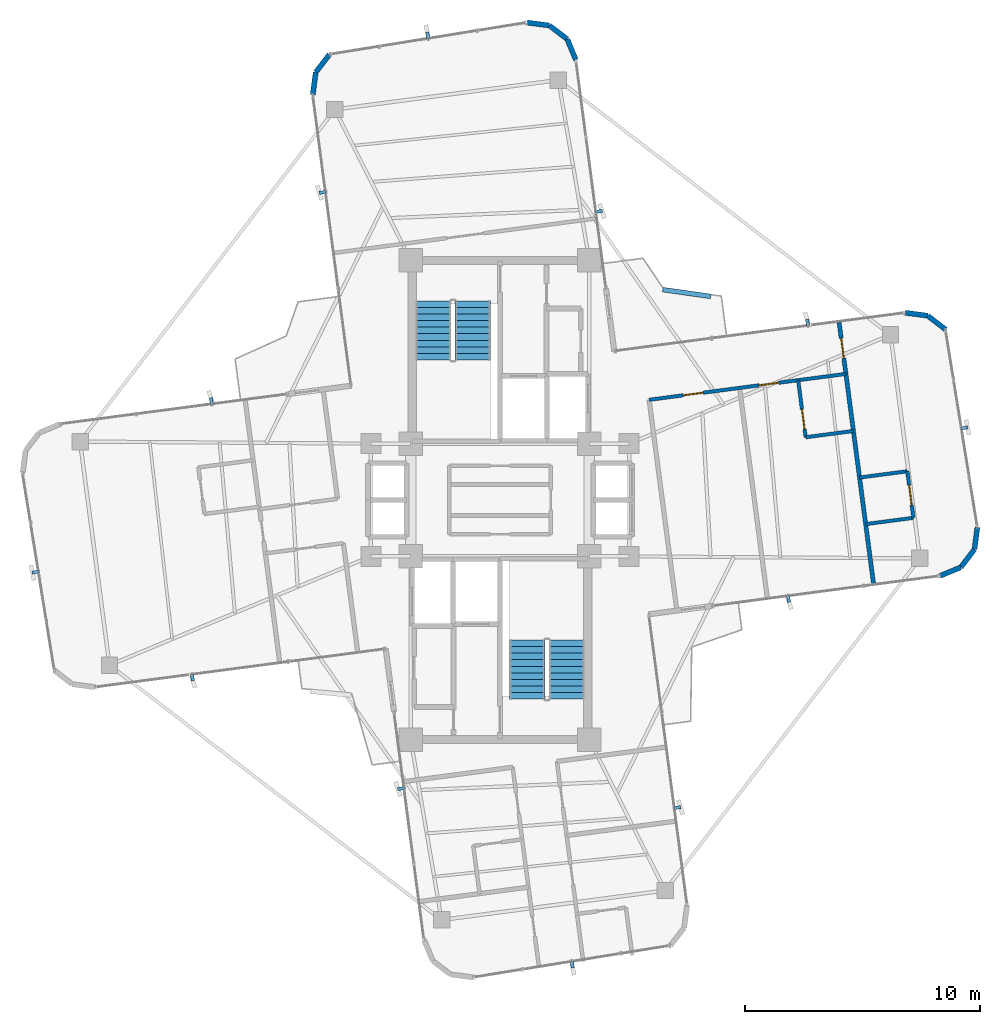
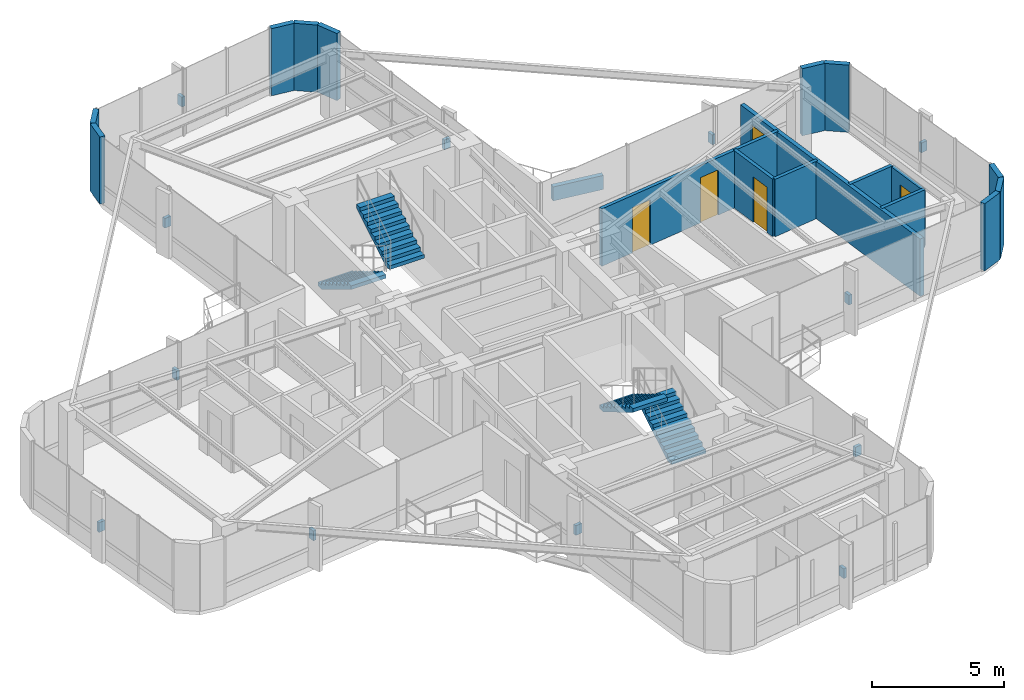
# One storey, part 20 of 21: 18 walls, 12 discrete accessories, 5 doors, 4 stair flights, 5 openings, 2 elements without a shape of their own.
"""IFC4 building model written with IfcOpenShell, lengths in metres."""

import ifcopenshell
import ifcopenshell.guid

model = None  # the IFC model being written
_history = None  # IfcOwnerHistory: only IFC2X3 demands one
_inside = {}  # id of a spatial element -> (the spatial element, [elements in it])
_under = {}  # id of a project, library or spatial element -> (it, [spatial elements below it])
_declared = {}  # id of a project -> (the project, [libraries it declares])
_typed = {}  # id of a type object -> (the type object, [elements of that type])
_made_of = {}  # id of a material, layer set ... -> (it, [elements and type objects made of it])


def new_model(schema):
    """Start an empty IFC model of exactly this schema.

    Asked for "IFC4X3", IfcOpenShell would pick the latest addendum, in which some entities
    have other attributes; the version numbers below select the first issue.
    IFC2X3 requires an IfcOwnerHistory on every rooted entity: one is made here for all.
    """
    global model, _history
    if schema == "IFC4X3":
        model = ifcopenshell.file(schema_version=(4, 3, 0, 0))
    else:
        model = ifcopenshell.file(schema=schema)
    _inside.clear()
    _under.clear()
    _declared.clear()
    _typed.clear()
    _made_of.clear()
    _history = None
    if model.schema == "IFC2X3":
        org = make("IfcOrganization", Name="unknown")
        user = make(
            "IfcPersonAndOrganization",
            ThePerson=make("IfcPerson", FamilyName="unknown"),
            TheOrganization=org,
        )
        app = make(
            "IfcApplication",
            ApplicationDeveloper=org,
            Version="unknown",
            ApplicationFullName="unknown",
            ApplicationIdentifier="unknown",
        )
        _history = make(
            "IfcOwnerHistory",
            OwningUser=user,
            OwningApplication=app,
            ChangeAction="ADDED",
            CreationDate=0,
        )
    return model


def make(cls, **values):
    """One entity of the class cls with the attributes given. An attribute that is None is left unset."""
    return model.create_entity(
        cls, **{name: value for name, value in values.items() if value is not None}
    )


def rooted(cls, **values):
    """An entity with a GlobalId (a new one), such as an element, a storey or a relation."""
    return make(cls, GlobalId=ifcopenshell.guid.new(), OwnerHistory=_history, **values)


def si_unit(unit_type, name, prefix=None):
    """IfcSIUnit, for example si_unit("LENGTHUNIT", "METRE", prefix="MILLI")."""
    return make("IfcSIUnit", UnitType=unit_type, Prefix=prefix, Name=name)


def assignment(units):
    """IfcUnitAssignment: the units of a project."""
    return None if units is None else make("IfcUnitAssignment", Units=units)


def point(xyz):
    """IfcCartesianPoint."""
    return None if xyz is None else make("IfcCartesianPoint", Coordinates=xyz)


def direction(xyz):
    """IfcDirection."""
    return None if xyz is None else make("IfcDirection", DirectionRatios=xyz)


def frame(location, z_axis=None, x_axis=None):
    """IfcAxis2Placement3D, a coordinate frame: its origin and axes. An axis left out is left unset."""
    return make(
        "IfcAxis2Placement3D",
        Location=point(location),
        Axis=direction(z_axis),
        RefDirection=direction(x_axis),
    )


def frame_2d(location, x_axis=None):
    """IfcAxis2Placement2D, a coordinate frame in the plane: its origin and x axis."""
    return make(
        "IfcAxis2Placement2D", Location=point(location), RefDirection=direction(x_axis)
    )


def origin():
    """The frame at (0, 0, 0) with its axes left unset."""
    return frame((0.0, 0.0, 0.0))


def origin_2d():
    """The frame at (0, 0) in the plane with its x axis left unset."""
    return frame_2d((0.0, 0.0))


def place(relative_to, where):
    """IfcLocalPlacement: puts the frame where relative to a parent placement (None: the world)."""
    return make(
        "IfcLocalPlacement", PlacementRelTo=relative_to, RelativePlacement=where
    )


def context(
    kind, dimensions, precision=None, world=None, true_north=None, identifier=None
):
    """IfcGeometricRepresentationContext, for example the 3D "Model" context."""
    return make(
        "IfcGeometricRepresentationContext",
        ContextIdentifier=identifier,
        ContextType=kind,
        CoordinateSpaceDimension=dimensions,
        Precision=precision,
        WorldCoordinateSystem=world,
        TrueNorth=true_north,
    )


def subcontext(parent, identifier, kind, view, scale=None):
    """IfcGeometricRepresentationSubContext, for example "Body" below "Model"."""
    return make(
        "IfcGeometricRepresentationSubContext",
        ContextIdentifier=identifier,
        ContextType=kind,
        ParentContext=parent,
        TargetScale=scale,
        TargetView=view,
    )


def project(units=None, contexts=None):
    """IfcProject with its units and contexts."""
    return rooted(
        "IfcProject",
        Name="project",
        RepresentationContexts=contexts,
        UnitsInContext=assignment(units),
    )


def spatial(cls, under=None, at=None, **own):
    """A site, building, storey or space (cls), placed at a placement, below another one or the project."""
    s = rooted(cls, ObjectPlacement=at, **own)
    if under is not None:
        _under.setdefault(under.id(), (under, []))[1].append(s)
    return s


def polyline(points):
    """IfcPolyline through the points."""
    return make("IfcPolyline", Points=[point(p) for p in points])


def profile(cls, at=None, kind="AREA", **sizes):
    """A parametric profile (cls). Its sizes go by their IFC names, for example OverallWidth=200.0."""
    return make(cls, ProfileType=kind, Position=at, **sizes)


def rectangle(**sizes):
    """IfcRectangleProfileDef."""
    return profile("IfcRectangleProfileDef", **sizes)


def outline(outer, holes=None, kind="AREA"):
    """IfcArbitraryClosedProfileDef: a profile drawn as a closed curve; with holes, ...WithVoids."""
    if holes is None:
        return make("IfcArbitraryClosedProfileDef", ProfileType=kind, OuterCurve=outer)
    return make(
        "IfcArbitraryProfileDefWithVoids",
        ProfileType=kind,
        OuterCurve=outer,
        InnerCurves=holes,
    )


def extrude(swept, where, along, depth):
    """IfcExtrudedAreaSolid: the profile swept, set in the frame where, extruded along a direction by depth."""
    return make(
        "IfcExtrudedAreaSolid",
        SweptArea=swept,
        Position=where,
        ExtrudedDirection=direction(along),
        Depth=depth,
    )


def shape(context_of_items, identifier, shape_type, items):
    """IfcShapeRepresentation: the items that make up one representation, for example the "Body"."""
    return make(
        "IfcShapeRepresentation",
        ContextOfItems=context_of_items,
        RepresentationIdentifier=identifier,
        RepresentationType=shape_type,
        Items=items,
    )


def source(mapping_origin, context_of_items, identifier, shape_type, items):
    """IfcRepresentationMap: a shape defined once, which mapped items show again and again."""
    return make(
        "IfcRepresentationMap",
        MappingOrigin=mapping_origin,
        MappedRepresentation=shape(context_of_items, identifier, shape_type, items),
    )


def transform(
    local_origin,
    x_axis=None,
    y_axis=None,
    z_axis=None,
    scale=None,
    scale2=None,
    scale3=None,
    uniform=True,
):
    """IfcCartesianTransformationOperator3D, or its non-uniform kind. x_axis, y_axis, z_axis: its Axis1, 2, 3."""
    if uniform:
        return make(
            "IfcCartesianTransformationOperator3D",
            Axis1=direction(x_axis),
            Axis2=direction(y_axis),
            LocalOrigin=point(local_origin),
            Scale=scale,
            Axis3=direction(z_axis),
        )
    return make(
        "IfcCartesianTransformationOperator3DnonUniform",
        Axis1=direction(x_axis),
        Axis2=direction(y_axis),
        LocalOrigin=point(local_origin),
        Scale=scale,
        Axis3=direction(z_axis),
        Scale2=scale2,
        Scale3=scale3,
    )


def mapped(mapping_source, mapping_target):
    """IfcMappedItem: shows the shape of a source again, moved by a transform."""
    return make(
        "IfcMappedItem", MappingSource=mapping_source, MappingTarget=mapping_target
    )


def material(Name=None, Category=None):
    """IfcMaterial."""
    return make("IfcMaterial", Name=Name, Category=Category)


def layer(
    of_material, thickness, ventilated=None, Name=None, Category=None, Priority=None
):
    """IfcMaterialLayer: one layer of a wall or slab, of a material (None: an air gap)."""
    return make(
        "IfcMaterialLayer",
        Material=of_material,
        LayerThickness=thickness,
        IsVentilated=ventilated,
        Name=Name,
        Category=Category,
        Priority=Priority,
    )


def layer_set(layers, Name=None):
    """IfcMaterialLayerSet."""
    return make("IfcMaterialLayerSet", MaterialLayers=layers, LayerSetName=Name)


def made_of(thing, what):
    """Note that an element or type object is made of a material, layer set ...; save() writes the relation."""
    if what is not None:
        _made_of.setdefault(what.id(), (what, []))[1].append(thing)
    return thing


def type_object(cls, material=None, **own):
    """A type object (cls), such as IfcWallType, which elements share."""
    return made_of(rooted(cls, **own), material)


def element(
    cls,
    number,
    at=None,
    inside=None,
    cuts=None,
    type_object=None,
    material=None,
    context=None,
    identifier="Body",
    shape_type=None,
    held_by="IfcProductDefinitionShape",
    body=None,
    shapes=None,
    **own,
):
    """One element of the class cls, such as IfcWall. Its Tag is "e" and its number.

    at: its placement. inside: the storey or other place that contains it. cuts: it is an
    opening in that element (IfcRelVoidsElement). A single representation is given by context,
    identifier, shape_type and body (its items); several are given by shapes. held_by: the class
    of the entity that holds the representations. save() writes the other relations.
    """
    e = rooted(cls, Tag="e%d" % number, ObjectPlacement=at, **own)
    if body is not None:
        shapes = [shape(context, identifier, shape_type, body)]
    if shapes is not None:
        e.Representation = make(held_by, Representations=shapes)
    if inside is not None:
        _inside.setdefault(inside.id(), (inside, []))[1].append(e)
    if cuts is not None:
        rooted(
            "IfcRelVoidsElement", RelatingBuildingElement=cuts, RelatedOpeningElement=e
        )
    if type_object is not None:
        _typed.setdefault(type_object.id(), (type_object, []))[1].append(e)
    return made_of(e, material)


def fill(opening, filler):
    """IfcRelFillsElement: the door or window that sits in an opening."""
    return rooted(
        "IfcRelFillsElement",
        RelatingOpeningElement=opening,
        RelatedBuildingElement=filler,
    )


def aggregate(whole, parts):
    """IfcRelAggregates: a whole, such as a stair, and the parts it consists of."""
    return rooted("IfcRelAggregates", RelatingObject=whole, RelatedObjects=parts)


def save(model, path):
    """Write the relations noted so far, then the file.

    IfcRelAggregates (storeys below a building ...), IfcRelContainedInSpatialStructure (elements
    in a storey), IfcRelDefinesByType, IfcRelAssociatesMaterial and IfcRelDeclares: one each for
    every whole, place, type object, material and project.
    """
    for whole, parts in _under.values():
        aggregate(whole, parts)
    for where, things in _inside.values():
        rooted(
            "IfcRelContainedInSpatialStructure",
            RelatedElements=things,
            RelatingStructure=where,
        )
    for kind, things in _typed.values():
        rooted("IfcRelDefinesByType", RelatedObjects=things, RelatingType=kind)
    for what, things in _made_of.values():
        rooted("IfcRelAssociatesMaterial", RelatedObjects=things, RelatingMaterial=what)
    for by, libraries in _declared.values():
        rooted("IfcRelDeclares", RelatingContext=by, RelatedDefinitions=libraries)
    model.write(path)


model = new_model("IFC4")

# Units and contexts
model_context = context("Model", 3, precision=1e-05, world=origin(), true_north=direction((0.0, 1.0)))
body_context = subcontext(model_context, "Body", "Model", "MODEL_VIEW")
ifc_project = project(units=[si_unit("LENGTHUNIT", "METRE"), si_unit("AREAUNIT", "SQUARE_METRE"), si_unit("VOLUMEUNIT", "CUBIC_METRE"), si_unit("PLANEANGLEUNIT", "RADIAN"), si_unit("MASSUNIT", "GRAM", prefix="KILO")], contexts=[model_context])

# Site, building, storey
site_placement = place(None, origin())
site = spatial("IfcSite", under=ifc_project, at=site_placement, CompositionType="ELEMENT")
building_placement = place(site_placement, origin())
building = spatial("IfcBuilding", under=site, at=building_placement, Name="Sahyath Konkavel Grand Hotel", CompositionType="ELEMENT")
storey_placement = place(building_placement, frame((0.0, 0.0, 216.550048828125)))
storey = spatial("IfcBuildingStorey", under=building, at=storey_placement, Name="L60", CompositionType="ELEMENT", Elevation=216.550048828125)

# Walls
ifc_material_1 = material(Name="Warm Buff Sandstone Insulated Concrete C40/50", Category="masonry")
ifc_layer_1 = layer(ifc_material_1, 0.219970703125)
ifc_layer_set_1 = layer_set([ifc_layer_1], Name="Warm Buff Sandstone Insulated Concrete C40/50")
wall_type_1 = type_object("IfcWallType", Name="WLL-BALC-THRESH", PredefinedType="STANDARD", material=ifc_layer_set_1)
for number, where, z_axis, x_axis, name in (
    (1, (18.732177734375, -3.232666015625, 0.0), (0.0, 0.0, 1.0), (0.923889442397, 0.382659506909, 0.0), "L60 Rounded Corner Sandstone Pier 1"),
    (2, (19.616943359375, -2.8662109375, 0.0), (0.0, 0.0, 1.0), (0.608774010809, 0.793343685778, 0.0), "L60 Rounded Corner Sandstone Pier 2"),
    (3, (20.199951171875, -2.1064453125, 0.0), (0.0, 0.0, 1.0), (0.130527053476, 0.991444747987, 0.0), "L60 Rounded Corner Sandstone Pier 3"),
):
    element("IfcWall", number, at=place(storey_placement, frame(where, z_axis=z_axis, x_axis=x_axis)), inside=storey, type_object=wall_type_1, Name=name, PredefinedType="STANDARD", context=body_context, shape_type="SweptSolid", body=[
        extrude(rectangle(XDim=0.957763671875, YDim=0.219970703125, at=frame_2d((0.47900390625, 0.0))), origin(), (0.0, 0.0, 1.0), 3.10986328125),
    ])
wall_1_placement = place(storey_placement, frame((18.96630859375, 7.2626953125, 0.0), z_axis=(0.0, 0.0, 1.0), x_axis=(-0.793249178392, 0.608897151398, 0.0)))
element("IfcWall", 4, at=wall_1_placement, inside=storey, type_object=wall_type_1, Name="L60 Rounded Corner Sandstone Pier 5", PredefinedType="STANDARD", context=body_context, shape_type="SweptSolid", body=[
    extrude(rectangle(XDim=0.95751953125, YDim=0.219970703125, at=frame_2d((0.478759765625, 0.0))), origin(), (0.0, 0.0, 1.0), 3.10986328125),
])
for number, where, z_axis, x_axis, name in (
    (5, (18.206787109375, 7.845703125, 0.0), (0.0, 0.0, 1.0), (-0.991444747987, 0.130527053476, 0.0), "L60 Rounded Corner Sandstone Pier 6"),
    (6, (3.232666015625, 18.732177734375, 0.0), (0.0, 0.0, 1.0), (-0.382659506909, 0.923889442397, 0.0), "L60 Rounded Corner Sandstone Pier 9"),
    (7, (2.8662109375, 19.616943359375, 0.0), (0.0, 0.0, 1.0), (-0.793343685778, 0.608774010809, 0.0), "L60 Rounded Corner Sandstone Pier 10"),
    (8, (2.1064453125, 20.199951171875, 0.0), (0.0, 0.0, 1.0), (-0.991444747987, 0.130527053476, 0.0), "L60 Rounded Corner Sandstone Pier 11"),
):
    element("IfcWall", number, at=place(storey_placement, frame(where, z_axis=z_axis, x_axis=x_axis)), inside=storey, type_object=wall_type_1, Name=name, PredefinedType="STANDARD", context=body_context, shape_type="SweptSolid", body=[
        extrude(rectangle(XDim=0.957763671875, YDim=0.219970703125, at=frame_2d((0.47900390625, 0.0))), origin(), (0.0, 0.0, 1.0), 3.10986328125),
    ])
wall_2_placement = place(storey_placement, frame((-7.2626953125, 18.96630859375, 0.0), z_axis=(0.0, 0.0, 1.0), x_axis=(-0.608897151398, -0.793249178392, 0.0)))
element("IfcWall", 9, at=wall_2_placement, inside=storey, type_object=wall_type_1, Name="L60 Rounded Corner Sandstone Pier 13", PredefinedType="STANDARD", context=body_context, shape_type="SweptSolid", body=[
    extrude(rectangle(XDim=0.95751953125, YDim=0.219970703125, at=frame_2d((0.478759765625, 0.0))), origin(), (0.0, 0.0, 1.0), 3.10986328125),
])
wall_3_placement = place(storey_placement, frame((-7.845703125, 18.206787109375, 0.0), z_axis=(0.0, 0.0, 1.0), x_axis=(-0.130527053476, -0.991444747987, 0.0)))
element("IfcWall", 10, at=wall_3_placement, inside=storey, type_object=wall_type_1, Name="L60 Rounded Corner Sandstone Pier 14", PredefinedType="STANDARD", context=body_context, shape_type="SweptSolid", body=[
    extrude(rectangle(XDim=0.957763671875, YDim=0.219970703125, at=frame_2d((0.47900390625, 0.0))), origin(), (0.0, 0.0, 1.0), 3.10986328125),
])

# Wall, opening, door
ifc_material_2 = material(Name="Twin-Stud Acoustic Gypsum Plasterboard Partition")
ifc_layer_2 = layer(ifc_material_2, 0.179931640625)
ifc_layer_set_2 = layer_set([ifc_layer_2], Name="Twin-Stud Acoustic Gypsum Plasterboard Partition")
wall_type_2 = type_object("IfcWallType", Name="WLL-DEMISE-180", PredefinedType="PARTITIONING", material=ifc_layer_set_2)
wall_4_placement = place(storey_placement, frame((15.900146484375, -3.554931640625, 0.0), z_axis=(0.0, 0.0, 1.0), x_axis=(-0.130530072791, 0.991444350479, 0.0)))
wall_4 = element("IfcWall", 11, at=wall_4_placement, inside=storey, type_object=wall_type_2, Name="L60 Partition E-ETIP-END", PredefinedType="PARTITIONING", context=body_context, shape_type="SweptSolid", body=[
    extrude(rectangle(XDim=11.19970703125, YDim=0.179931640625, at=frame_2d((5.599853515625, 0.0))), origin(), (0.0, 0.0, 1.0), 2.659912109375),
])
opening_1_placement = place(wall_4_placement, frame((9.675048828125, 0.0, 0.0)))
opening_1 = element("IfcOpeningElement", 12, at=opening_1_placement, cuts=wall_4, Name="Opening D-F06D", PredefinedType="OPENING", context=body_context, shape_type="SweptSolid", body=[
    extrude(rectangle(XDim=0.85009765625, YDim=2.10009765625, at=frame_2d((0.425048828125, 1.050048828125))), frame((0.0, 0.10009765625, 0.0), z_axis=(0.0, -1.0, 0.0), x_axis=(1.0, 0.0, 0.0)), (0.0, 0.0, 1.0), 0.199951171875),
])
ifc_material_3 = material(Name="Fire-Rated Shaft Access Door")
door_type_1 = type_object("IfcDoorType", Name="DR-FD60-850", OperationType="NOTDEFINED", PredefinedType="DOOR", material=ifc_material_3)
shared_shape_1 = source(origin(), body_context, "Body", "SweptSolid", [
    extrude(rectangle(XDim=0.85009765625, YDim=0.050048828125, at=origin_2d()), origin(), (0.0, 0.0, 1.0), 2.10009765625),
])
door_1_placement = place(opening_1_placement, frame((0.425048828125, 0.0, 0.0)))
door_1 = element("IfcDoor", 13, at=door_1_placement, inside=storey, type_object=door_type_1, Name="L60 Door E-ETIP-ED", OperationType="SINGLE_SWING_LEFT", OverallHeight=2.10009765625, OverallWidth=0.85009765625, PredefinedType="DOOR", context=body_context, shape_type="MappedRepresentation", body=[
    mapped(shared_shape_1, transform((0.0, 0.0, 0.0), scale=1.0)),
])
fill(opening_1, door_1)

# Wall, openings, doors
ifc_material_4 = material(Name="Fire-Rated Gypsum Plasterboard Partition")
ifc_layer_3 = layer(ifc_material_4, 0.14990234375)
ifc_layer_set_3 = layer_set([ifc_layer_3], Name="Fire-Rated Gypsum Plasterboard Partition")
wall_type_3 = type_object("IfcWallType", Name="WLL-PART-150", PredefinedType="PARTITIONING", material=ifc_layer_set_3)
wall_5_placement = place(storey_placement, frame((6.34765625, 4.264892578125, 0.0), z_axis=(0.0, 0.0, 1.0), x_axis=(0.991443573086, 0.130535977363, 0.0)))
wall_5 = element("IfcWall", 14, at=wall_5_placement, inside=storey, type_object=wall_type_3, Name="L60 Partition E-G5W", PredefinedType="PARTITIONING", context=body_context, shape_type="SweptSolid", body=[
    extrude(rectangle(XDim=8.449951171875, YDim=0.14990234375, at=frame_2d((4.22509765625, 0.0))), origin(), (0.0, 0.0, 1.0), 2.659912109375),
])
opening_2_placement = place(wall_5_placement, frame((1.468994140625, 0.0, 0.0)))
opening_2 = element("IfcOpeningElement", 15, at=opening_2_placement, cuts=wall_5, Name="Opening D-F06D", PredefinedType="OPENING", context=body_context, shape_type="SweptSolid", body=[
    extrude(rectangle(XDim=0.85009765625, YDim=2.10009765625, at=frame_2d((0.425048828125, 1.050048828125))), frame((0.0, 0.0849609375, 0.0), z_axis=(0.0, -1.0, 0.0), x_axis=(1.0, 0.0, 0.0)), (0.0, 0.0, 1.0), 0.169921875),
])
opening_3_placement = place(wall_5_placement, frame((4.718994140625, 0.0, 0.0)))
opening_3 = element("IfcOpeningElement", 16, at=opening_3_placement, cuts=wall_5, Name="Opening D-F06D", PredefinedType="OPENING", context=body_context, shape_type="SweptSolid", body=[
    extrude(rectangle(XDim=0.85009765625, YDim=2.10009765625, at=frame_2d((0.425048828125, 1.050048828125))), frame((0.0, 0.0849609375, 0.0), z_axis=(0.0, -1.0, 0.0), x_axis=(1.0, 0.0, 0.0)), (0.0, 0.0, 1.0), 0.169921875),
])
door_2_placement = place(opening_2_placement, frame((0.425048828125, 0.0, 0.0)))
door_2 = element("IfcDoor", 17, at=door_2_placement, inside=storey, type_object=door_type_1, Name="L60 Door E-ED1-D", OperationType="SINGLE_SWING_LEFT", OverallHeight=2.10009765625, OverallWidth=0.85009765625, PredefinedType="DOOR", context=body_context, shape_type="MappedRepresentation", body=[
    mapped(shared_shape_1, transform((0.0, 0.0, 0.0), scale=1.0)),
])
fill(opening_2, door_2)
door_3_placement = place(opening_3_placement, frame((0.425048828125, 0.0, 0.0)))
door_3 = element("IfcDoor", 18, at=door_3_placement, inside=storey, type_object=door_type_1, Name="L60 Door E-ED2-ED", OperationType="SINGLE_SWING_LEFT", OverallHeight=2.10009765625, OverallWidth=0.85009765625, PredefinedType="DOOR", context=body_context, shape_type="MappedRepresentation", body=[
    mapped(shared_shape_1, transform((0.0, 0.0, 0.0), scale=1.0)),
])
fill(opening_3, door_3)

# Wall, opening, door
wall_6_placement = place(storey_placement, frame((12.69287109375, 5.100341796875, 0.0), z_axis=(0.0, 0.0, 1.0), x_axis=(0.130544735166, -0.991442419972, 0.0)))
wall_6 = element("IfcWall", 19, at=wall_6_placement, inside=storey, type_object=wall_type_3, Name="L60 Partition E-ED2-BS", PredefinedType="PARTITIONING", context=body_context, shape_type="SweptSolid", body=[
    extrude(rectangle(XDim=2.449951171875, YDim=0.14990234375, at=frame_2d((1.22509765625, 0.0))), origin(), (0.0, 0.0, 1.0), 2.659912109375),
])
opening_4_placement = place(wall_6_placement, frame((1.25, 0.0, 0.0)))
opening_4 = element("IfcOpeningElement", 20, at=opening_4_placement, cuts=wall_6, Name="Opening D-BT85", PredefinedType="OPENING", context=body_context, shape_type="SweptSolid", body=[
    extrude(rectangle(XDim=0.85009765625, YDim=2.10009765625, at=frame_2d((0.425048828125, 1.050048828125))), frame((0.0, 0.0849609375, 0.0), z_axis=(0.0, -1.0, 0.0), x_axis=(1.0, 0.0, 0.0)), (0.0, 0.0, 1.0), 0.169921875),
])
ifc_material_5 = material(Name="Moisture-Resistant Teak Bathroom Door")
door_type_2 = type_object("IfcDoorType", Name="DR-BATH-850", OperationType="NOTDEFINED", PredefinedType="DOOR", material=ifc_material_5)
door_4_placement = place(opening_4_placement, frame((0.425048828125, 0.0, 0.0)))
door_4 = element("IfcDoor", 21, at=door_4_placement, inside=storey, type_object=door_type_2, Name="L60 Door E-ED2-BD", OperationType="SINGLE_SWING_RIGHT", OverallHeight=2.10009765625, OverallWidth=0.85009765625, PredefinedType="DOOR", context=body_context, shape_type="MappedRepresentation", body=[
    mapped(shared_shape_1, transform((0.0, 0.0, 0.0), scale=1.0)),
])
fill(opening_4, door_4)

# Walls
for number, where, z_axis, x_axis, name in (
    (22, (13.0126953125, 2.67138671875, 0.0), (0.0, 0.0, 1.0), (0.991444969909, 0.13052536781, 0.0), "L60 Partition E-ED2-BF"),
    (23, (15.30615234375, 0.9560546875, 0.0), (0.0, 0.0, 1.0), (0.991444969909, 0.13052536781, 0.0), "L60 Partition E-ETIP-BN"),
    (24, (15.567138671875, -1.02685546875, 0.0), (0.0, 0.0, 1.0), (0.991444969909, 0.13052536781, 0.0), "L60 Partition E-ETIP-BS"),
):
    element("IfcWall", number, at=place(storey_placement, frame(where, z_axis=z_axis, x_axis=x_axis)), inside=storey, type_object=wall_type_3, Name=name, PredefinedType="PARTITIONING", context=body_context, shape_type="SweptSolid", body=[
        extrude(rectangle(XDim=2.050048828125, YDim=0.14990234375, at=frame_2d((1.02490234375, 0.0))), origin(), (0.0, 0.0, 1.0), 2.659912109375),
    ])

# Wall, opening, door
wall_7_placement = place(storey_placement, frame((17.599609375, -0.75927734375, 0.0), z_axis=(0.0, 0.0, 1.0), x_axis=(-0.130492404742, 0.991449308994, 0.0)))
wall_7 = element("IfcWall", 25, at=wall_7_placement, inside=storey, type_object=wall_type_3, Name="L60 Partition E-ETIP-BE", PredefinedType="PARTITIONING", context=body_context, shape_type="SweptSolid", body=[
    extrude(rectangle(XDim=2.0, YDim=0.14990234375, at=frame_2d((1.0, 0.0))), origin(), (0.0, 0.0, 1.0), 2.6298828125),
])
opening_5_placement = place(wall_7_placement, frame((0.550048828125, 0.0, 0.0)))
opening_5 = element("IfcOpeningElement", 26, at=opening_5_placement, cuts=wall_7, Name="Opening D-BT85", PredefinedType="OPENING", context=body_context, shape_type="SweptSolid", body=[
    extrude(rectangle(XDim=0.85009765625, YDim=2.10009765625, at=frame_2d((0.425048828125, 1.050048828125))), frame((0.0, 0.0849609375, 0.0), z_axis=(0.0, -1.0, 0.0), x_axis=(1.0, 0.0, 0.0)), (0.0, 0.0, 1.0), 0.169921875),
])
door_5_placement = place(opening_5_placement, frame((0.425048828125, 0.0, 0.0)))
door_5 = element("IfcDoor", 27, at=door_5_placement, inside=storey, type_object=door_type_2, Name="L60 Door E-ETIP-BD", OperationType="SINGLE_SWING_RIGHT", OverallHeight=2.10009765625, OverallWidth=0.85009765625, PredefinedType="DOOR", context=body_context, shape_type="MappedRepresentation", body=[
    mapped(shared_shape_1, transform((0.0, 0.0, 0.0), scale=1.0)),
])
fill(opening_5, door_5)

# Wall
ifc_material_6 = material(Name="Warm Buff Sandstone Planter Wall", Category="masonry")
ifc_layer_4 = layer(ifc_material_6, 0.199951171875)
ifc_layer_set_4 = layer_set([ifc_layer_4], Name="Warm Buff Sandstone Planter Wall")
wall_type_4 = type_object("IfcWallType", Name="WLL-PLANTER-200", PredefinedType="PARAPET", material=ifc_layer_set_4)
wall_8_placement = place(storey_placement, frame((8.971923828125, 8.66650390625, 0.0), z_axis=(0.0, 0.0, 1.0), x_axis=(-0.990194035803, 0.139698859907, 0.0)))
element("IfcWall", 28, at=wall_8_placement, inside=storey, type_object=wall_type_4, Name="L60 Sky-Garden Stone Planter PLANTER NE", PredefinedType="PARAPET", context=body_context, shape_type="SweptSolid", body=[
    extrude(rectangle(XDim=2.06396484375, YDim=0.199951171875, at=frame_2d((1.031982421875, 0.0))), origin(), (0.0, 0.0, 1.0), 0.64990234375),
])

# Stair, stair flights
ifc_material_7 = material(Name="Concrete C40/50", Category="concrete")
stair_type = type_object("IfcStairType", Name="STR-ST16-335", PredefinedType="HALF_TURN_STAIR", material=ifc_material_7)
stair_1_placement = place(storey_placement, origin())
stair_1 = element("IfcStair", 29, at=stair_1_placement, inside=storey, type_object=stair_type, Name="L60 North Core Smokeproof Exit Stair ST-1", PredefinedType="HALF_TURN_STAIR")
stair_flight_type = type_object("IfcStairFlightType", Name="STF-ST16-335", PredefinedType="STRAIGHT", material=ifc_material_7)
stair_flight_1_placement = place(storey_placement, frame((-2.840087890625, 8.47998046875, 0.0), z_axis=(0.0, 0.0, 1.0), x_axis=(0.0, -1.0, 0.0)))
stair_flight_1 = element("IfcStairFlight", 30, at=stair_flight_1_placement, type_object=stair_flight_type, Name="ST-1 flight 1", NumberOfRisers=10, NumberOfTreads=9, PredefinedType="STRAIGHT", RiserHeight=0.1675, TreadLength=0.28, context=body_context, shape_type="SweptSolid", body=[
    extrude(outline(polyline([(0.0, 0.0), (0.0, 0.16748046875), (0.280029296875, 0.16748046875), (0.280029296875, 0.3349609375), (0.56005859375, 0.3349609375), (0.56005859375, 0.50244140625), (0.840087890625, 0.50244140625), (0.840087890625, 0.669921875), (1.1201171875, 0.669921875), (1.1201171875, 0.83740234375), (1.39990234375, 0.83740234375), (1.39990234375, 1.0048828125), (1.679931640625, 1.0048828125), (1.679931640625, 1.172607421875), (1.9599609375, 1.172607421875), (1.9599609375, 1.340087890625), (2.239990234375, 1.340087890625), (2.239990234375, 1.507568359375), (2.52001953125, 1.507568359375), (2.52001953125, 1.675048828125), (2.52001953125, 1.332763671875), (0.2919921875, 0.0), (0.0, 0.0)])), frame((0.0, 0.760009765625, 0.0), z_axis=(0.0, -1.0, 0.0), x_axis=(1.0, 0.0, 0.0)), (0.0, 0.0, 1.0), 1.52001953125),
])
stair_flight_2_placement = place(storey_placement, frame((-1.159912109375, 5.9599609375, 1.675048828125), z_axis=(0.0, 0.0, 1.0), x_axis=(0.0, 1.0, 0.0)))
stair_flight_2 = element("IfcStairFlight", 31, at=stair_flight_2_placement, type_object=stair_flight_type, Name="ST-1 flight 2", NumberOfRisers=10, NumberOfTreads=9, PredefinedType="STRAIGHT", RiserHeight=0.1675, TreadLength=0.28, context=body_context, shape_type="SweptSolid", body=[
    extrude(outline(polyline([(0.0, 0.0), (0.0, 0.16748046875), (0.280029296875, 0.16748046875), (0.280029296875, 0.3349609375), (0.56005859375, 0.3349609375), (0.56005859375, 0.50244140625), (0.840087890625, 0.50244140625), (0.840087890625, 0.669921875), (1.1201171875, 0.669921875), (1.1201171875, 0.83740234375), (1.39990234375, 0.83740234375), (1.39990234375, 1.0048828125), (1.679931640625, 1.0048828125), (1.679931640625, 1.172607421875), (1.9599609375, 1.172607421875), (1.9599609375, 1.340087890625), (2.239990234375, 1.340087890625), (2.239990234375, 1.507568359375), (2.52001953125, 1.507568359375), (2.52001953125, 1.675048828125), (2.52001953125, 1.332763671875), (0.2919921875, 0.0), (0.0, 0.0)])), frame((0.0, 0.760009765625, 0.0), z_axis=(0.0, -1.0, 0.0), x_axis=(1.0, 0.0, 0.0)), (0.0, 0.0, 1.0), 1.52001953125),
])
aggregate(stair_1, [stair_flight_1, stair_flight_2])

stair_2_placement = place(storey_placement, origin())
stair_2 = element("IfcStair", 32, at=stair_2_placement, inside=storey, type_object=stair_type, Name="L60 South Core Smokeproof Exit Stair ST-2", PredefinedType="HALF_TURN_STAIR")
stair_flight_3_placement = place(storey_placement, frame((2.840087890625, -8.47998046875, 0.0), z_axis=(0.0, 0.0, 1.0), x_axis=(0.0, 1.0, 0.0)))
stair_flight_3 = element("IfcStairFlight", 33, at=stair_flight_3_placement, type_object=stair_flight_type, Name="ST-2 flight 1", NumberOfRisers=10, NumberOfTreads=9, PredefinedType="STRAIGHT", RiserHeight=0.1675, TreadLength=0.28, context=body_context, shape_type="SweptSolid", body=[
    extrude(outline(polyline([(0.0, 0.0), (0.0, 0.16748046875), (0.280029296875, 0.16748046875), (0.280029296875, 0.3349609375), (0.56005859375, 0.3349609375), (0.56005859375, 0.50244140625), (0.840087890625, 0.50244140625), (0.840087890625, 0.669921875), (1.1201171875, 0.669921875), (1.1201171875, 0.83740234375), (1.39990234375, 0.83740234375), (1.39990234375, 1.0048828125), (1.679931640625, 1.0048828125), (1.679931640625, 1.172607421875), (1.9599609375, 1.172607421875), (1.9599609375, 1.340087890625), (2.239990234375, 1.340087890625), (2.239990234375, 1.507568359375), (2.52001953125, 1.507568359375), (2.52001953125, 1.675048828125), (2.52001953125, 1.332763671875), (0.2919921875, 0.0), (0.0, 0.0)])), frame((0.0, 0.760009765625, 0.0), z_axis=(0.0, -1.0, 0.0), x_axis=(1.0, 0.0, 0.0)), (0.0, 0.0, 1.0), 1.52001953125),
])
stair_flight_4_placement = place(storey_placement, frame((1.159912109375, -5.9599609375, 1.675048828125), z_axis=(0.0, 0.0, 1.0), x_axis=(0.0, -1.0, 0.0)))
stair_flight_4 = element("IfcStairFlight", 34, at=stair_flight_4_placement, type_object=stair_flight_type, Name="ST-2 flight 2", NumberOfRisers=10, NumberOfTreads=9, PredefinedType="STRAIGHT", RiserHeight=0.1675, TreadLength=0.28, context=body_context, shape_type="SweptSolid", body=[
    extrude(outline(polyline([(0.0, 0.0), (0.0, 0.16748046875), (0.280029296875, 0.16748046875), (0.280029296875, 0.3349609375), (0.56005859375, 0.3349609375), (0.56005859375, 0.50244140625), (0.840087890625, 0.50244140625), (0.840087890625, 0.669921875), (1.1201171875, 0.669921875), (1.1201171875, 0.83740234375), (1.39990234375, 0.83740234375), (1.39990234375, 1.0048828125), (1.679931640625, 1.0048828125), (1.679931640625, 1.172607421875), (1.9599609375, 1.172607421875), (1.9599609375, 1.340087890625), (2.239990234375, 1.340087890625), (2.239990234375, 1.507568359375), (2.52001953125, 1.507568359375), (2.52001953125, 1.675048828125), (2.52001953125, 1.332763671875), (0.2919921875, 0.0), (0.0, 0.0)])), frame((0.0, 0.760009765625, 0.0), z_axis=(0.0, -1.0, 0.0), x_axis=(1.0, 0.0, 0.0)), (0.0, 0.0, 1.0), 1.52001953125),
])
aggregate(stair_2, [stair_flight_3, stair_flight_4])

# Discrete accessories
ifc_material_8 = material(Name="Steel E350", Category="steel")
discrete_accessory_type = type_object("IfcDiscreteAccessoryType", Name="ACC-FIN-BRACKET", PredefinedType="BRACKET", material=ifc_material_8)
shared_shape_2 = source(origin(), body_context, "Body", "SweptSolid", [
    extrude(rectangle(XDim=0.280029296875, YDim=0.139892578125, at=origin_2d()), origin(), (0.0, 0.0, 1.0), 0.449951171875),
])
for number, where, z_axis, x_axis, name in (
    (35, (12.284912109375, -4.212646484375, 1.330078125), (0.0, 0.0, 1.0), (0.13052619222, -0.991444861374, 0.0), "L60 Fin Support Bracket F0-1"),
    (36, (19.77392578125, 3.073486328125, 1.330078125), (0.0, 0.0, 1.0), (0.98723096667, 0.159295381124, 0.0), "L60 Fin Support Bracket F4-2"),
    (37, (13.095947265625, 7.553955078125, 1.330078125), (0.0, 0.0, 1.0), (-0.13052619222, 0.991444861374, 0.0), "L60 Fin Support Bracket F7-1"),
    (38, (4.212646484375, 12.284912109375, 1.330078125), (0.0, 0.0, 1.0), (0.991444861374, 0.13052619222, 0.0), "L60 Fin Support Bracket F8-1"),
    (39, (-3.073486328125, 19.77392578125, 1.330078125), (0.0, 0.0, 1.0), (-0.159295381124, 0.98723096667, 0.0), "L60 Fin Support Bracket F12-2"),
    (40, (-7.553955078125, 13.095947265625, 1.330078125), (0.0, 0.0, 1.0), (-0.991444861374, -0.13052619222, 0.0), "L60 Fin Support Bracket F15-1"),
    (41, (-12.284912109375, 4.212646484375, 1.330078125), (0.0, 0.0, 1.0), (-0.13052619222, 0.991444861374, 0.0), "L60 Fin Support Bracket F16-1"),
    (42, (-19.77392578125, -3.073486328125, 1.330078125), (0.0, 0.0, 1.0), (-0.98723096667, -0.159295381124, 0.0), "L60 Fin Support Bracket F20-2"),
    (43, (-13.095947265625, -7.553955078125, 1.330078125), (0.0, 0.0, 1.0), (0.13052619222, -0.991444861374, 0.0), "L60 Fin Support Bracket F23-1"),
    (44, (-4.212646484375, -12.284912109375, 1.330078125), (0.0, 0.0, 1.0), (-0.991444861374, -0.13052619222, 0.0), "L60 Fin Support Bracket F24-1"),
    (45, (3.073486328125, -19.77392578125, 1.330078125), (0.0, 0.0, 1.0), (0.159295381124, -0.98723096667, 0.0), "L60 Fin Support Bracket F28-2"),
    (46, (7.553955078125, -13.095947265625, 1.330078125), (0.0, 0.0, 1.0), (0.991444861374, 0.13052619222, 0.0), "L60 Fin Support Bracket F31-1"),
):
    element("IfcDiscreteAccessory", number, at=place(storey_placement, frame(where, z_axis=z_axis, x_axis=x_axis)), inside=storey, type_object=discrete_accessory_type, Name=name, PredefinedType="BRACKET", context=body_context, shape_type="MappedRepresentation", body=[
        mapped(shared_shape_2, transform((0.0, 0.0, 0.0), scale=1.0)),
    ])

save(model, "model.ifc")
